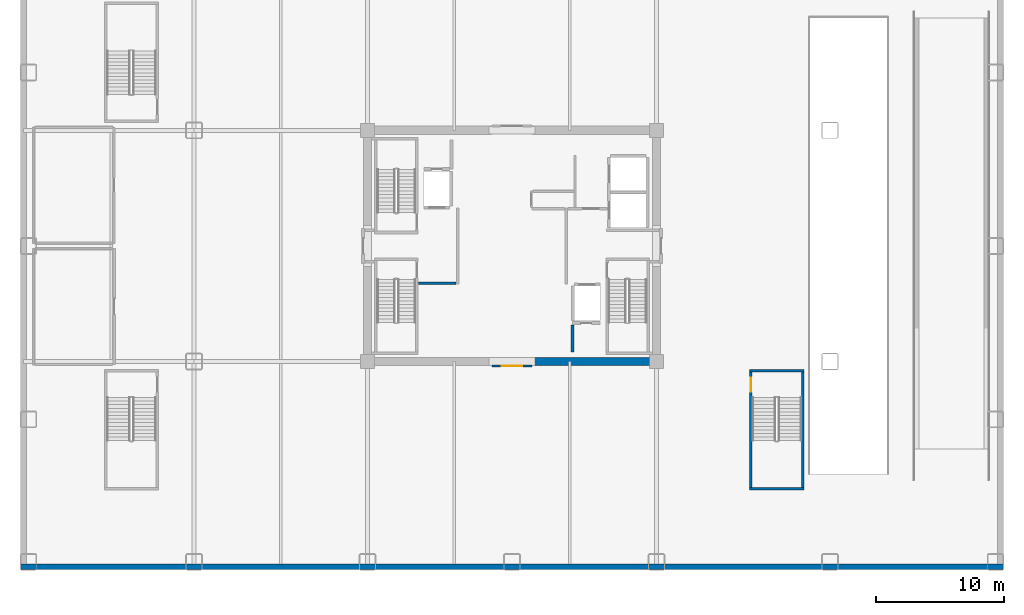
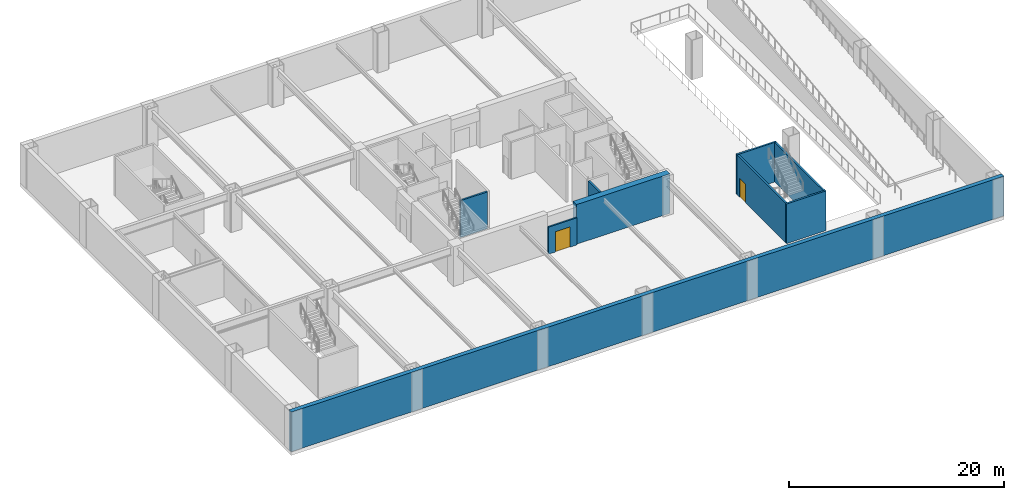
# One storey, part 3 of 9: 9 walls, 2 doors, 2 openings.
"""IFC4 building model written with IfcOpenShell, lengths in metres."""

import ifcopenshell
import ifcopenshell.guid

model = None  # the IFC model being written
_history = None  # IfcOwnerHistory: only IFC2X3 demands one
_inside = {}  # id of a spatial element -> (the spatial element, [elements in it])
_under = {}  # id of a project, library or spatial element -> (it, [spatial elements below it])
_declared = {}  # id of a project -> (the project, [libraries it declares])
_typed = {}  # id of a type object -> (the type object, [elements of that type])
_made_of = {}  # id of a material, layer set ... -> (it, [elements and type objects made of it])


def new_model(schema):
    """Start an empty IFC model of exactly this schema.

    Asked for "IFC4X3", IfcOpenShell would pick the latest addendum, in which some entities
    have other attributes; the version numbers below select the first issue.
    IFC2X3 requires an IfcOwnerHistory on every rooted entity: one is made here for all.
    """
    global model, _history
    if schema == "IFC4X3":
        model = ifcopenshell.file(schema_version=(4, 3, 0, 0))
    else:
        model = ifcopenshell.file(schema=schema)
    _inside.clear()
    _under.clear()
    _declared.clear()
    _typed.clear()
    _made_of.clear()
    _history = None
    if model.schema == "IFC2X3":
        org = make("IfcOrganization", Name="unknown")
        user = make(
            "IfcPersonAndOrganization",
            ThePerson=make("IfcPerson", FamilyName="unknown"),
            TheOrganization=org,
        )
        app = make(
            "IfcApplication",
            ApplicationDeveloper=org,
            Version="unknown",
            ApplicationFullName="unknown",
            ApplicationIdentifier="unknown",
        )
        _history = make(
            "IfcOwnerHistory",
            OwningUser=user,
            OwningApplication=app,
            ChangeAction="ADDED",
            CreationDate=0,
        )
    return model


def make(cls, **values):
    """One entity of the class cls with the attributes given. An attribute that is None is left unset."""
    return model.create_entity(
        cls, **{name: value for name, value in values.items() if value is not None}
    )


def rooted(cls, **values):
    """An entity with a GlobalId (a new one), such as an element, a storey or a relation."""
    return make(cls, GlobalId=ifcopenshell.guid.new(), OwnerHistory=_history, **values)


def si_unit(unit_type, name, prefix=None):
    """IfcSIUnit, for example si_unit("LENGTHUNIT", "METRE", prefix="MILLI")."""
    return make("IfcSIUnit", UnitType=unit_type, Prefix=prefix, Name=name)


def assignment(units):
    """IfcUnitAssignment: the units of a project."""
    return None if units is None else make("IfcUnitAssignment", Units=units)


def point(xyz):
    """IfcCartesianPoint."""
    return None if xyz is None else make("IfcCartesianPoint", Coordinates=xyz)


def direction(xyz):
    """IfcDirection."""
    return None if xyz is None else make("IfcDirection", DirectionRatios=xyz)


def frame(location, z_axis=None, x_axis=None):
    """IfcAxis2Placement3D, a coordinate frame: its origin and axes. An axis left out is left unset."""
    return make(
        "IfcAxis2Placement3D",
        Location=point(location),
        Axis=direction(z_axis),
        RefDirection=direction(x_axis),
    )


def frame_2d(location, x_axis=None):
    """IfcAxis2Placement2D, a coordinate frame in the plane: its origin and x axis."""
    return make(
        "IfcAxis2Placement2D", Location=point(location), RefDirection=direction(x_axis)
    )


def origin():
    """The frame at (0, 0, 0) with its axes left unset."""
    return frame((0.0, 0.0, 0.0))


def place(relative_to, where):
    """IfcLocalPlacement: puts the frame where relative to a parent placement (None: the world)."""
    return make(
        "IfcLocalPlacement", PlacementRelTo=relative_to, RelativePlacement=where
    )


def context(
    kind, dimensions, precision=None, world=None, true_north=None, identifier=None
):
    """IfcGeometricRepresentationContext, for example the 3D "Model" context."""
    return make(
        "IfcGeometricRepresentationContext",
        ContextIdentifier=identifier,
        ContextType=kind,
        CoordinateSpaceDimension=dimensions,
        Precision=precision,
        WorldCoordinateSystem=world,
        TrueNorth=true_north,
    )


def subcontext(parent, identifier, kind, view, scale=None):
    """IfcGeometricRepresentationSubContext, for example "Body" below "Model"."""
    return make(
        "IfcGeometricRepresentationSubContext",
        ContextIdentifier=identifier,
        ContextType=kind,
        ParentContext=parent,
        TargetScale=scale,
        TargetView=view,
    )


def project(units=None, contexts=None):
    """IfcProject with its units and contexts."""
    return rooted(
        "IfcProject",
        Name="project",
        RepresentationContexts=contexts,
        UnitsInContext=assignment(units),
    )


def spatial(cls, under=None, at=None, **own):
    """A site, building, storey or space (cls), placed at a placement, below another one or the project."""
    s = rooted(cls, ObjectPlacement=at, **own)
    if under is not None:
        _under.setdefault(under.id(), (under, []))[1].append(s)
    return s


def profile(cls, at=None, kind="AREA", **sizes):
    """A parametric profile (cls). Its sizes go by their IFC names, for example OverallWidth=200.0."""
    return make(cls, ProfileType=kind, Position=at, **sizes)


def rectangle(**sizes):
    """IfcRectangleProfileDef."""
    return profile("IfcRectangleProfileDef", **sizes)


def extrude(swept, where, along, depth):
    """IfcExtrudedAreaSolid: the profile swept, set in the frame where, extruded along a direction by depth."""
    return make(
        "IfcExtrudedAreaSolid",
        SweptArea=swept,
        Position=where,
        ExtrudedDirection=direction(along),
        Depth=depth,
    )


def shape(context_of_items, identifier, shape_type, items):
    """IfcShapeRepresentation: the items that make up one representation, for example the "Body"."""
    return make(
        "IfcShapeRepresentation",
        ContextOfItems=context_of_items,
        RepresentationIdentifier=identifier,
        RepresentationType=shape_type,
        Items=items,
    )


def source(mapping_origin, context_of_items, identifier, shape_type, items):
    """IfcRepresentationMap: a shape defined once, which mapped items show again and again."""
    return make(
        "IfcRepresentationMap",
        MappingOrigin=mapping_origin,
        MappedRepresentation=shape(context_of_items, identifier, shape_type, items),
    )


def transform(
    local_origin,
    x_axis=None,
    y_axis=None,
    z_axis=None,
    scale=None,
    scale2=None,
    scale3=None,
    uniform=True,
):
    """IfcCartesianTransformationOperator3D, or its non-uniform kind. x_axis, y_axis, z_axis: its Axis1, 2, 3."""
    if uniform:
        return make(
            "IfcCartesianTransformationOperator3D",
            Axis1=direction(x_axis),
            Axis2=direction(y_axis),
            LocalOrigin=point(local_origin),
            Scale=scale,
            Axis3=direction(z_axis),
        )
    return make(
        "IfcCartesianTransformationOperator3DnonUniform",
        Axis1=direction(x_axis),
        Axis2=direction(y_axis),
        LocalOrigin=point(local_origin),
        Scale=scale,
        Axis3=direction(z_axis),
        Scale2=scale2,
        Scale3=scale3,
    )


def mapped(mapping_source, mapping_target):
    """IfcMappedItem: shows the shape of a source again, moved by a transform."""
    return make(
        "IfcMappedItem", MappingSource=mapping_source, MappingTarget=mapping_target
    )


def material(Name=None, Category=None):
    """IfcMaterial."""
    return make("IfcMaterial", Name=Name, Category=Category)


def layer(
    of_material, thickness, ventilated=None, Name=None, Category=None, Priority=None
):
    """IfcMaterialLayer: one layer of a wall or slab, of a material (None: an air gap)."""
    return make(
        "IfcMaterialLayer",
        Material=of_material,
        LayerThickness=thickness,
        IsVentilated=ventilated,
        Name=Name,
        Category=Category,
        Priority=Priority,
    )


def layer_set(layers, Name=None):
    """IfcMaterialLayerSet."""
    return make("IfcMaterialLayerSet", MaterialLayers=layers, LayerSetName=Name)


def made_of(thing, what):
    """Note that an element or type object is made of a material, layer set ...; save() writes the relation."""
    if what is not None:
        _made_of.setdefault(what.id(), (what, []))[1].append(thing)
    return thing


def type_object(cls, material=None, **own):
    """A type object (cls), such as IfcWallType, which elements share."""
    return made_of(rooted(cls, **own), material)


def element(
    cls,
    number,
    at=None,
    inside=None,
    cuts=None,
    type_object=None,
    material=None,
    context=None,
    identifier="Body",
    shape_type=None,
    held_by="IfcProductDefinitionShape",
    body=None,
    shapes=None,
    **own,
):
    """One element of the class cls, such as IfcWall. Its Tag is "e" and its number.

    at: its placement. inside: the storey or other place that contains it. cuts: it is an
    opening in that element (IfcRelVoidsElement). A single representation is given by context,
    identifier, shape_type and body (its items); several are given by shapes. held_by: the class
    of the entity that holds the representations. save() writes the other relations.
    """
    e = rooted(cls, Tag="e%d" % number, ObjectPlacement=at, **own)
    if body is not None:
        shapes = [shape(context, identifier, shape_type, body)]
    if shapes is not None:
        e.Representation = make(held_by, Representations=shapes)
    if inside is not None:
        _inside.setdefault(inside.id(), (inside, []))[1].append(e)
    if cuts is not None:
        rooted(
            "IfcRelVoidsElement", RelatingBuildingElement=cuts, RelatedOpeningElement=e
        )
    if type_object is not None:
        _typed.setdefault(type_object.id(), (type_object, []))[1].append(e)
    return made_of(e, material)


def fill(opening, filler):
    """IfcRelFillsElement: the door or window that sits in an opening."""
    return rooted(
        "IfcRelFillsElement",
        RelatingOpeningElement=opening,
        RelatedBuildingElement=filler,
    )


def aggregate(whole, parts):
    """IfcRelAggregates: a whole, such as a stair, and the parts it consists of."""
    return rooted("IfcRelAggregates", RelatingObject=whole, RelatedObjects=parts)


def save(model, path):
    """Write the relations noted so far, then the file.

    IfcRelAggregates (storeys below a building ...), IfcRelContainedInSpatialStructure (elements
    in a storey), IfcRelDefinesByType, IfcRelAssociatesMaterial and IfcRelDeclares: one each for
    every whole, place, type object, material and project.
    """
    for whole, parts in _under.values():
        aggregate(whole, parts)
    for where, things in _inside.values():
        rooted(
            "IfcRelContainedInSpatialStructure",
            RelatedElements=things,
            RelatingStructure=where,
        )
    for kind, things in _typed.values():
        rooted("IfcRelDefinesByType", RelatedObjects=things, RelatingType=kind)
    for what, things in _made_of.values():
        rooted("IfcRelAssociatesMaterial", RelatedObjects=things, RelatingMaterial=what)
    for by, libraries in _declared.values():
        rooted("IfcRelDeclares", RelatingContext=by, RelatedDefinitions=libraries)
    model.write(path)


model = new_model("IFC4")

# Units and contexts
model_context = context("Model", 3, precision=1e-05, world=origin(), true_north=direction((0.0, 1.0)))
body_context = subcontext(model_context, "Body", "Model", "MODEL_VIEW")
ifc_project = project(units=[si_unit("LENGTHUNIT", "METRE"), si_unit("AREAUNIT", "SQUARE_METRE"), si_unit("VOLUMEUNIT", "CUBIC_METRE"), si_unit("PLANEANGLEUNIT", "RADIAN"), si_unit("MASSUNIT", "GRAM", prefix="KILO")], contexts=[model_context])

# Site, building, storey
site_placement = place(None, origin())
site = spatial("IfcSite", under=ifc_project, at=site_placement, CompositionType="ELEMENT")
building_placement = place(site_placement, origin())
building = spatial("IfcBuilding", under=site, at=building_placement, Name="Nefas-Gora Pilgrimage Tower", CompositionType="ELEMENT")
storey_placement = place(building_placement, frame((0.0, 0.0, -4.5)))
storey = spatial("IfcBuildingStorey", under=building, at=storey_placement, Name="B01", CompositionType="ELEMENT", Elevation=-4.5)

# Walls
ifc_material_1 = material(Name="Concrete C60/75", Category="concrete")
ifc_layer_1 = layer(ifc_material_1, 0.64990234375)
ifc_layer_set_1 = layer_set([ifc_layer_1], Name="Concrete C60/75")
wall_type_1 = type_object("IfcWallType", Name="SW-CORE-650", PredefinedType="SHEAR", material=ifc_layer_set_1)
shared_shape_1 = source(origin(), body_context, "Body", "SweptSolid", [
    extrude(rectangle(XDim=10.02490234375, YDim=0.64990234375, at=frame_2d((5.012451171875, 0.0))), origin(), (0.0, 0.0, 1.0), 4.5),
])
wall_1_placement = place(storey_placement, frame((1.550048828125, -9.0, 0.0), z_axis=(0.0, 0.0, 1.0), x_axis=(1.0, 0.0, 0.0)))
element("IfcWall", 1, at=wall_1_placement, inside=storey, type_object=wall_type_1, Name="B01 Core Shear Wall S-East", PredefinedType="SHEAR", context=body_context, shape_type="MappedRepresentation", body=[
    mapped(shared_shape_1, transform((0.0, 0.0, 0.0), x_axis=(1.0, 0.0, 0.0), y_axis=(0.0, 1.0, 0.0), z_axis=(0.0, 0.0, 1.0), scale=1.0)),
])
ifc_material_2 = material(Name="Concrete C50/60", Category="concrete")
ifc_layer_2 = layer(ifc_material_2, 0.449951171875)
ifc_layer_set_2 = layer_set([ifc_layer_2], Name="Concrete C50/60")
wall_type_2 = type_object("IfcWallType", Name="RW-BSMT-450", PredefinedType="SOLIDWALL", material=ifc_layer_set_2)
shared_shape_2 = source(origin(), body_context, "Body", "SweptSolid", [
    extrude(rectangle(XDim=76.5, YDim=0.449951171875, at=frame_2d((38.25, 0.0))), origin(), (0.0, 0.0, 1.0), 4.5),
])
wall_2_placement = place(storey_placement, frame((-38.25, -24.97509765625, 0.0), z_axis=(0.0, 0.0, 1.0), x_axis=(1.0, 0.0, 0.0)))
element("IfcWall", 2, at=wall_2_placement, inside=storey, type_object=wall_type_2, Name="B01 South Retaining Wall", PredefinedType="SOLIDWALL", context=body_context, shape_type="MappedRepresentation", body=[
    mapped(shared_shape_2, transform((0.0, 0.0, 0.0), x_axis=(1.0, 0.0, 0.0), y_axis=(0.0, 1.0, 0.0), z_axis=(0.0, 0.0, 1.0), scale=1.0)),
])
ifc_material_3 = material(Name="Concrete C45/55", Category="concrete")
ifc_layer_3 = layer(ifc_material_3, 0.199951171875)
ifc_layer_set_3 = layer_set([ifc_layer_3], Name="Concrete C45/55")
wall_type_3 = type_object("IfcWallType", Name="IW-STAIR-200", PredefinedType="SOLIDWALL", material=ifc_layer_set_3)
shared_shape_3 = source(origin(), body_context, "Body", "SweptSolid", [
    extrude(rectangle(XDim=4.239990234375, YDim=0.199951171875, at=frame_2d((2.1201171875, 0.0))), origin(), (0.0, 0.0, 1.0), 4.5),
])
for number, where, z_axis, x_axis, name in (
    (3, (18.5, -9.699951171875, 0.0), (0.0, 0.0, 1.0), (1.0, 0.0, 0.0), "B01 Stairwell Shear Wall ST-06-near"),
    (4, (18.5, -18.89990234375, 0.0), (0.0, 0.0, 1.0), (1.0, 0.0, 0.0), "B01 Stairwell Shear Wall ST-06-far"),
):
    element("IfcWall", number, at=place(storey_placement, frame(where, z_axis=z_axis, x_axis=x_axis)), inside=storey, type_object=wall_type_3, Name=name, PredefinedType="SOLIDWALL", context=body_context, shape_type="MappedRepresentation", body=[
        mapped(shared_shape_3, transform((0.0, 0.0, 0.0), x_axis=(1.0, 0.0, 0.0), y_axis=(0.0, 1.0, 0.0), z_axis=(0.0, 0.0, 1.0), scale=1.0)),
    ])

# Wall, opening, door
shared_shape_4 = source(origin(), body_context, "Body", "SweptSolid", [
    extrude(rectangle(XDim=9.0, YDim=0.199951171875, at=frame_2d((4.5, 0.0))), origin(), (0.0, 0.0, 1.0), 4.5),
])
wall_3_placement = place(storey_placement, frame((18.60009765625, -9.800048828125, 0.0), z_axis=(0.0, 0.0, 1.0), x_axis=(0.0, -1.0, 0.0)))
wall_3 = element("IfcWall", 5, at=wall_3_placement, inside=storey, type_object=wall_type_3, Name="B01 Stairwell Shear Wall ST-06-left", PredefinedType="SOLIDWALL", context=body_context, shape_type="MappedRepresentation", body=[
    mapped(shared_shape_4, transform((0.0, 0.0, 0.0), x_axis=(1.0, 0.0, 0.0), y_axis=(0.0, 1.0, 0.0), z_axis=(0.0, 0.0, 1.0), scale=1.0)),
])
opening_1_placement = place(wall_3_placement, frame((0.449951171875, 0.0, 0.0)))
opening_1 = element("IfcOpeningElement", 6, at=opening_1_placement, cuts=wall_3, Name="Opening ID-ST1", PredefinedType="OPENING", context=body_context, shape_type="SweptSolid", body=[
    extrude(rectangle(XDim=1.10009765625, YDim=2.14990234375, at=frame_2d((0.550048828125, 1.074951171875))), frame((0.0, 0.10986328125, 0.0), z_axis=(0.0, -1.0, 0.0), x_axis=(1.0, 0.0, 0.0)), (0.0, 0.0, 1.0), 0.219970703125),
])
ifc_material_4 = material(Name="Painted galvanised steel fire stair door", Category="steel")
door_type_1 = type_object("IfcDoorType", Name="DR-INT-STAIR-1100", OperationType="NOTDEFINED", PredefinedType="DOOR", material=ifc_material_4)
shared_shape_5 = source(origin(), body_context, "Body", "SweptSolid", [
    extrude(rectangle(XDim=1.10009765625, YDim=2.14990234375, at=frame_2d((0.550048828125, 1.074951171875))), frame((0.0, 0.02490234375, 0.0), z_axis=(0.0, -1.0, 0.0), x_axis=(1.0, 0.0, 0.0)), (0.0, 0.0, 1.0), 0.050048828125),
])
door_1_placement = place(opening_1_placement, origin())
door_1 = element("IfcDoor", 7, at=door_1_placement, inside=storey, type_object=door_type_1, Name="B01 Protected Exit Stair Door ST-06", OperationType="SINGLE_SWING_LEFT", OverallHeight=2.14990234375, OverallWidth=1.10009765625, PredefinedType="DOOR", context=body_context, shape_type="MappedRepresentation", body=[
    mapped(shared_shape_5, transform((0.0, 0.0, 0.0), x_axis=(1.0, 0.0, 0.0), y_axis=(0.0, 1.0, 0.0), z_axis=(0.0, 0.0, 1.0), scale=1.0)),
])
fill(opening_1, door_1)

# Walls
wall_4_placement = place(storey_placement, frame((22.639892578125, -9.800048828125, 0.0), z_axis=(0.0, 0.0, 1.0), x_axis=(0.0, -1.0, 0.0)))
element("IfcWall", 8, at=wall_4_placement, inside=storey, type_object=wall_type_3, Name="B01 Stairwell Shear Wall ST-06-right", PredefinedType="SOLIDWALL", context=body_context, shape_type="MappedRepresentation", body=[
    mapped(shared_shape_4, transform((0.0, 0.0, 0.0), x_axis=(1.0, 0.0, 0.0), y_axis=(0.0, 1.0, 0.0), z_axis=(0.0, 0.0, 1.0), scale=1.0)),
])
ifc_material_5 = material(Name="Concrete C40/50", Category="concrete")
ifc_layer_4 = layer(ifc_material_5, 0.219970703125)
ifc_layer_set_4 = layer_set([ifc_layer_4], Name="Concrete C40/50")
wall_type_4 = type_object("IfcWallType", Name="IW-SHAFT-220", PredefinedType="SOLIDWALL", material=ifc_layer_set_4)
shared_shape_6 = source(origin(), body_context, "Body", "SweptSolid", [
    extrude(rectangle(XDim=2.10009765625, YDim=0.219970703125, at=frame_2d((1.050048828125, 0.0))), origin(), (0.0, 0.0, 1.0), 4.18505859375),
])
wall_5_placement = place(storey_placement, frame((4.719970703125, -8.25, 0.0), z_axis=(0.0, 0.0, 1.0), x_axis=(0.0, 1.0, 0.0)))
element("IfcWall", 9, at=wall_5_placement, inside=storey, type_object=wall_type_4, Name="B01 Riser Shaft Wall 4", PredefinedType="SOLIDWALL", context=body_context, shape_type="MappedRepresentation", body=[
    mapped(shared_shape_6, transform((0.0, 0.0, 0.0), x_axis=(1.0, 0.0, 0.0), y_axis=(0.0, 1.0, 0.0), z_axis=(0.0, 0.0, 1.0), scale=1.0)),
])
ifc_material_6 = material(Name="Gypsum fire-rated shaftwall")
ifc_layer_5 = layer(ifc_material_6, 0.199951171875)
ifc_layer_set_5 = layer_set([ifc_layer_5], Name="Gypsum fire-rated shaftwall")
wall_type_5 = type_object("IfcWallType", Name="IW-FFLOB-200", PredefinedType="PARTITIONING", material=ifc_layer_set_5)
shared_shape_7 = source(origin(), body_context, "Body", "SweptSolid", [
    extrude(rectangle(XDim=2.89990234375, YDim=0.199951171875, at=frame_2d((1.449951171875, 0.0))), origin(), (0.0, 0.0, 1.0), 4.18505859375),
])
wall_6_placement = place(storey_placement, frame((-7.260009765625, -2.89990234375, 0.0), z_axis=(0.0, 0.0, 1.0), x_axis=(1.0, 0.0, 0.0)))
element("IfcWall", 10, at=wall_6_placement, inside=storey, type_object=wall_type_5, Name="B01 FF Lobby West South Wall Wall 7", PredefinedType="PARTITIONING", context=body_context, shape_type="MappedRepresentation", body=[
    mapped(shared_shape_7, transform((0.0, 0.0, 0.0), x_axis=(1.0, 0.0, 0.0), y_axis=(0.0, 1.0, 0.0), z_axis=(0.0, 0.0, 1.0), scale=1.0)),
])

# Wall, opening, door
ifc_material_7 = material(Name="Gypsum acoustic stud partition")
ifc_layer_6 = layer(ifc_material_7, 0.159912109375)
ifc_layer_set_6 = layer_set([ifc_layer_6], Name="Gypsum acoustic stud partition")
wall_type_6 = type_object("IfcWallType", Name="IW-CORR-160", PredefinedType="PARTITIONING", material=ifc_layer_set_6)
shared_shape_8 = source(origin(), body_context, "Body", "SweptSolid", [
    extrude(rectangle(XDim=3.08984375, YDim=0.159912109375, at=frame_2d((1.544921875, 0.0))), origin(), (0.0, 0.0, 1.0), 3.074951171875),
])
wall_7_placement = place(storey_placement, frame((-1.544921875, -9.35009765625, 0.0), z_axis=(0.0, 0.0, 1.0), x_axis=(1.0, 0.0, 0.0)))
wall_7 = element("IfcWall", 11, at=wall_7_placement, inside=storey, type_object=wall_type_6, Name="B01 Central Lift Lobby South Portal Wall 17", PredefinedType="PARTITIONING", context=body_context, shape_type="MappedRepresentation", body=[
    mapped(shared_shape_8, transform((0.0, 0.0, 0.0), x_axis=(1.0, 0.0, 0.0), y_axis=(0.0, 1.0, 0.0), z_axis=(0.0, 0.0, 1.0), scale=1.0)),
])
opening_2_placement = place(wall_7_placement, frame((0.7451171875, 0.0, 0.0)))
opening_2 = element("IfcOpeningElement", 12, at=opening_2_placement, cuts=wall_7, Name="Opening ID-HL1", PredefinedType="OPENING", context=body_context, shape_type="SweptSolid", body=[
    extrude(rectangle(XDim=1.60009765625, YDim=2.300048828125, at=frame_2d((0.800048828125, 1.14990234375))), frame((0.0, 0.08984375, 0.0), z_axis=(0.0, -1.0, 0.0), x_axis=(1.0, 0.0, 0.0)), (0.0, 0.0, 1.0), 0.179931640625),
])
ifc_material_8 = material(Name="Double acoustic timber assembly hall door", Category="wood")
door_type_2 = type_object("IfcDoorType", Name="DR-INT-HALL-1600", OperationType="DOUBLE_DOOR_SINGLE_SWING", PredefinedType="DOOR", material=ifc_material_8)
shared_shape_9 = source(origin(), body_context, "Body", "SweptSolid", [
    extrude(rectangle(XDim=1.60009765625, YDim=2.300048828125, at=frame_2d((0.800048828125, 1.14990234375))), frame((0.0, 0.02490234375, 0.0), z_axis=(0.0, -1.0, 0.0), x_axis=(1.0, 0.0, 0.0)), (0.0, 0.0, 1.0), 0.050048828125),
])
door_2_placement = place(opening_2_placement, origin())
door_2 = element("IfcDoor", 13, at=door_2_placement, inside=storey, type_object=door_type_2, Name="B01 Central Lift Lobby South Portal Door 7", OperationType="DOUBLE_DOOR_SINGLE_SWING", OverallHeight=2.300048828125, OverallWidth=1.60009765625, PredefinedType="DOOR", context=body_context, shape_type="MappedRepresentation", body=[
    mapped(shared_shape_9, transform((0.0, 0.0, 0.0), x_axis=(1.0, 0.0, 0.0), y_axis=(0.0, 1.0, 0.0), z_axis=(0.0, 0.0, 1.0), scale=1.0)),
])
fill(opening_2, door_2)

save(model, "model.ifc")
